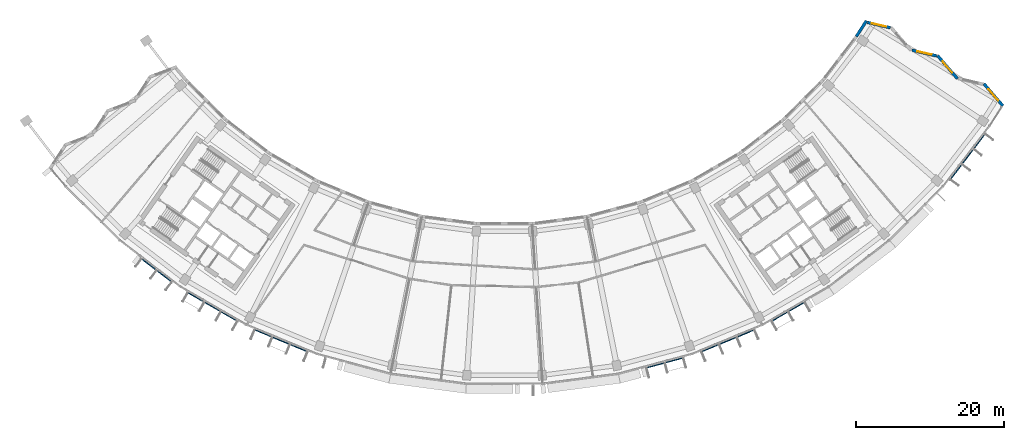
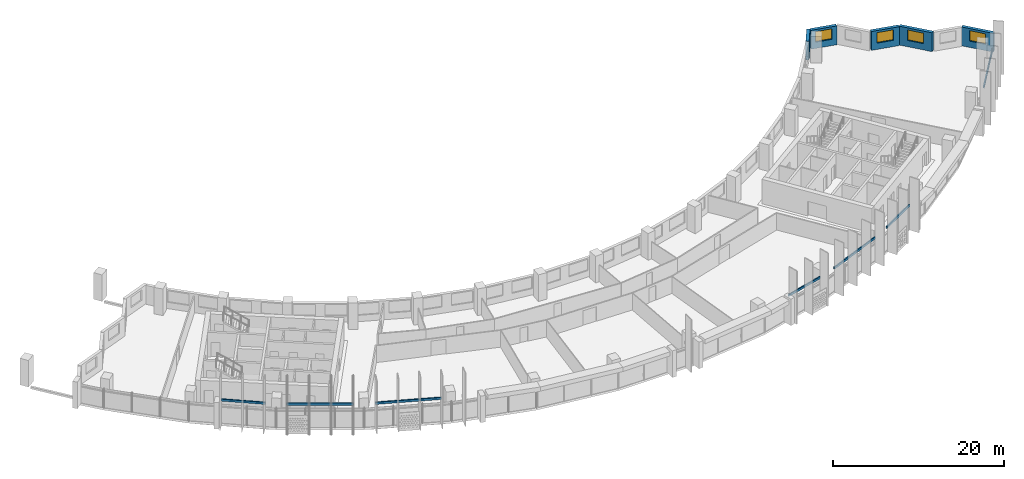
# One storey, part 8 of 27: 7 discrete accessories, 5 walls, 4 windows, 4 openings.
"""IFC4 building model written with IfcOpenShell, lengths in metres."""

from ifc_helpers import new_model, si_unit, direction, frame, frame_2d, origin, origin_2d, place, context, subcontext, project, spatial, rectangle, extrude, material, layer, layer_set, type_object, element, fill, save


model = new_model("IFC4")

# Units and contexts
model_context = context("Model", 3, precision=1e-05, world=origin(), true_north=direction((0.0, 1.0)))
body_context = subcontext(model_context, "Body", "Model", "MODEL_VIEW")
ifc_project = project(units=[si_unit("LENGTHUNIT", "METRE"), si_unit("AREAUNIT", "SQUARE_METRE"), si_unit("VOLUMEUNIT", "CUBIC_METRE"), si_unit("PLANEANGLEUNIT", "RADIAN"), si_unit("MASSUNIT", "GRAM", prefix="KILO")], contexts=[model_context])

# Site, building, storey
site_placement = place(None, origin())
site = spatial("IfcSite", under=ifc_project, at=site_placement, CompositionType="ELEMENT")
building_placement = place(site_placement, origin())
building = spatial("IfcBuilding", under=site, at=building_placement, Name="Qamariyya Broadcast Tower", CompositionType="ELEMENT")
storey_placement = place(building_placement, frame((0.0, 0.0, 187.300048828125)))
storey = spatial("IfcBuildingStorey", under=building, at=storey_placement, Name="L44", CompositionType="ELEMENT", Elevation=187.300048828125)

# Wall, opening, window
ifc_material_1 = material(Name="Terracotta", Category="masonry")
ifc_layer = layer(ifc_material_1, 0.39990234375)
ifc_layer_set = layer_set([ifc_layer], Name="Terracotta clad wall 400")
wall_type = type_object("IfcWallType", Name="Terracotta clad wall 400", PredefinedType="SOLIDWALL", material=ifc_layer_set)
wall_1_placement = place(storey_placement, frame((67.3603515625, -41.156005859375, 0.0), z_axis=(0.0, 0.0, 1.0), x_axis=(-0.651237291526, 0.758874159612, 0.0)))
wall_1 = element("IfcWall", 1, at=wall_1_placement, inside=storey, type_object=wall_type, Name="e-wl-L44-capE0", PredefinedType="SOLIDWALL", context=body_context, shape_type="SweptSolid", body=[
    extrude(rectangle(XDim=3.921630859375, YDim=0.39990234375, at=frame_2d((1.9609375, 0.0))), origin(), (0.0, 0.0, 1.0), 2.699951171875),
])
opening_1_placement = place(wall_1_placement, frame((0.9609375, 0.0, 0.89990234375)))
opening_1 = element("IfcOpeningElement", 2, at=opening_1_placement, cuts=wall_1, Name="Opening W4", PredefinedType="OPENING", context=body_context, shape_type="SweptSolid", body=[
    extrude(rectangle(XDim=2.0, YDim=1.5, at=frame_2d((1.0, 0.75))), frame((0.0, 0.2099609375, 0.0), z_axis=(0.0, -1.0, 0.0), x_axis=(1.0, 0.0, 0.0)), (0.0, 0.0, 1.0), 0.419921875),
])
ifc_material_2 = material(Name="Clear low-e double glazed unit in aluminium frame", Category="aluminium")
window_type = type_object("IfcWindowType", Name="Horn bay window 2000 x 1500", PartitioningType="SINGLE_PANEL", PredefinedType="WINDOW", material=ifc_material_2)
window_1_placement = place(opening_1_placement, origin())
window_1 = element("IfcWindow", 3, at=window_1_placement, inside=storey, type_object=window_type, Name="e-w-L44-capE0", OverallHeight=1.5, OverallWidth=2.0, PartitioningType="SINGLE_PANEL", PredefinedType="WINDOW", context=body_context, shape_type="SweptSolid", body=[
    extrude(rectangle(XDim=2.0, YDim=1.5, at=frame_2d((1.0, 0.75))), frame((0.0, 0.030029296875, 0.0), z_axis=(0.0, -1.0, 0.0), x_axis=(1.0, 0.0, 0.0)), (0.0, 0.0, 1.0), 0.06005859375),
])
fill(opening_1, window_1)

wall_2_placement = place(storey_placement, frame((61.21435546875, -37.48828125, 0.0), z_axis=(0.0, 0.0, 1.0), x_axis=(-0.651339346889, 0.758786567616, 0.0)))
wall_2 = element("IfcWall", 4, at=wall_2_placement, inside=storey, type_object=wall_type, Name="e-wl-L44-capE2", PredefinedType="SOLIDWALL", context=body_context, shape_type="SweptSolid", body=[
    extrude(rectangle(XDim=4.108154296875, YDim=0.39990234375, at=frame_2d((2.05419921875, 0.0))), origin(), (0.0, 0.0, 1.0), 2.699951171875),
])
opening_2_placement = place(wall_2_placement, frame((1.053955078125, 0.0, 0.89990234375)))
opening_2 = element("IfcOpeningElement", 5, at=opening_2_placement, cuts=wall_2, Name="Opening W4", PredefinedType="OPENING", context=body_context, shape_type="SweptSolid", body=[
    extrude(rectangle(XDim=2.0, YDim=1.5, at=frame_2d((1.0, 0.75))), frame((0.0, 0.2099609375, 0.0), z_axis=(0.0, -1.0, 0.0), x_axis=(1.0, 0.0, 0.0)), (0.0, 0.0, 1.0), 0.419921875),
])
window_2_placement = place(opening_2_placement, origin())
window_2 = element("IfcWindow", 6, at=window_2_placement, inside=storey, type_object=window_type, Name="e-w-L44-capE2", OverallHeight=1.5, OverallWidth=2.0, PartitioningType="SINGLE_PANEL", PredefinedType="WINDOW", context=body_context, shape_type="SweptSolid", body=[
    extrude(rectangle(XDim=2.0, YDim=1.5, at=frame_2d((1.0, 0.75))), frame((0.0, 0.030029296875, 0.0), z_axis=(0.0, -1.0, 0.0), x_axis=(1.0, 0.0, 0.0)), (0.0, 0.0, 1.0), 0.06005859375),
])
fill(opening_2, window_2)

wall_3_placement = place(storey_placement, frame((58.40771484375, -34.41357421875, 0.0), z_axis=(0.0, 0.0, 1.0), x_axis=(-0.973903859474, 0.226960949286, 0.0)))
wall_3 = element("IfcWall", 7, at=wall_3_placement, inside=storey, type_object=wall_type, Name="e-wl-L44-capE3", PredefinedType="SOLIDWALL", context=body_context, shape_type="SweptSolid", body=[
    extrude(rectangle(XDim=3.41845703125, YDim=0.39990234375, at=frame_2d((1.709228515625, 0.0))), origin(), (0.0, 0.0, 1.0), 2.699951171875),
])
opening_3_placement = place(wall_3_placement, frame((0.709228515625, 0.0, 0.89990234375)))
opening_3 = element("IfcOpeningElement", 8, at=opening_3_placement, cuts=wall_3, Name="Opening W4", PredefinedType="OPENING", context=body_context, shape_type="SweptSolid", body=[
    extrude(rectangle(XDim=2.0, YDim=1.5, at=frame_2d((1.0, 0.75))), frame((0.0, 0.2099609375, 0.0), z_axis=(0.0, -1.0, 0.0), x_axis=(1.0, 0.0, 0.0)), (0.0, 0.0, 1.0), 0.419921875),
])
window_3_placement = place(opening_3_placement, origin())
window_3 = element("IfcWindow", 9, at=window_3_placement, inside=storey, type_object=window_type, Name="e-w-L44-capE3", OverallHeight=1.5, OverallWidth=2.0, PartitioningType="SINGLE_PANEL", PredefinedType="WINDOW", context=body_context, shape_type="SweptSolid", body=[
    extrude(rectangle(XDim=2.0, YDim=1.5, at=frame_2d((1.0, 0.75))), frame((0.0, 0.030029296875, 0.0), z_axis=(0.0, -1.0, 0.0), x_axis=(1.0, 0.0, 0.0)), (0.0, 0.0, 1.0), 0.06005859375),
])
fill(opening_3, window_3)

wall_4_placement = place(storey_placement, frame((52.1396484375, -30.6044921875, 0.0), z_axis=(0.0, 0.0, 1.0), x_axis=(-0.973943253337, 0.226791841298, 0.0)))
wall_4 = element("IfcWall", 10, at=wall_4_placement, inside=storey, type_object=wall_type, Name="e-wl-L44-capE5", PredefinedType="SOLIDWALL", context=body_context, shape_type="SweptSolid", body=[
    extrude(rectangle(XDim=3.173583984375, YDim=0.39990234375, at=frame_2d((1.5869140625, 0.0))), origin(), (0.0, 0.0, 1.0), 2.699951171875),
])
opening_4_placement = place(wall_4_placement, frame((0.586669921875, 0.0, 0.89990234375)))
opening_4 = element("IfcOpeningElement", 11, at=opening_4_placement, cuts=wall_4, Name="Opening W4", PredefinedType="OPENING", context=body_context, shape_type="SweptSolid", body=[
    extrude(rectangle(XDim=2.0, YDim=1.5, at=frame_2d((1.0, 0.75))), frame((0.0, 0.2099609375, 0.0), z_axis=(0.0, -1.0, 0.0), x_axis=(1.0, 0.0, 0.0)), (0.0, 0.0, 1.0), 0.419921875),
])
window_4_placement = place(opening_4_placement, origin())
window_4 = element("IfcWindow", 12, at=window_4_placement, inside=storey, type_object=window_type, Name="e-w-L44-capE5", OverallHeight=1.5, OverallWidth=2.0, PartitioningType="SINGLE_PANEL", PredefinedType="WINDOW", context=body_context, shape_type="SweptSolid", body=[
    extrude(rectangle(XDim=2.0, YDim=1.5, at=frame_2d((1.0, 0.75))), frame((0.0, 0.030029296875, 0.0), z_axis=(0.0, -1.0, 0.0), x_axis=(1.0, 0.0, 0.0)), (0.0, 0.0, 1.0), 0.06005859375),
])
fill(opening_4, window_4)

# Wall
wall_5_placement = place(storey_placement, frame((48.906005859375, -29.66748046875, 0.0), z_axis=(0.0, 0.0, 1.0), x_axis=(-0.537614098744, -0.843191010882, 0.0)))
element("IfcWall", 13, at=wall_5_placement, inside=storey, type_object=wall_type, Name="e-wl-L44-in150", PredefinedType="SOLIDWALL", context=body_context, shape_type="SweptSolid", body=[
    extrude(rectangle(XDim=2.523193359375, YDim=0.39990234375, at=frame_2d((1.26171875, 0.0))), origin(), (0.0, 0.0, 1.0), 2.699951171875),
])

# Discrete accessories
ifc_material_3 = material(Name="Stainless steel 316", Category="steel")
discrete_accessory_type = type_object("IfcDiscreteAccessoryType", Name="Slab edge fixing angle, stainless steel", PredefinedType="BRACKET", material=ifc_material_3)
discrete_accessory_1_placement = place(storey_placement, frame((-47.010009765625, -63.386474609375, 3.2998046875), z_axis=(0.0, 0.0, 1.0), x_axis=(0.793353340291, -0.608761429009, 0.0)))
element("IfcDiscreteAccessory", 14, at=discrete_accessory_1_placement, inside=storey, type_object=discrete_accessory_type, Name="e-br-L44-02-0", PredefinedType="BRACKET", context=body_context, shape_type="SweptSolid", body=[
    extrude(rectangle(XDim=5.266845703125, YDim=0.14990234375, at=origin_2d()), origin(), (0.0, 0.0, 1.0), 0.300048828125),
])
for number, where, z_axis, x_axis, name in (
    (15, (-39.452880859375, -68.33447265625, 3.2998046875), (0.0, 0.0, 1.0), (0.866025403784, -0.5, 0.0), "e-br-L44-03-0"),
    (16, (-30.196044921875, -72.8994140625, 3.2998046875), (0.0, 0.0, 1.0), (0.923879532511, -0.382683432365, 0.0), "e-br-L44-04-0"),
):
    element("IfcDiscreteAccessory", number, at=place(storey_placement, frame(where, z_axis=z_axis, x_axis=x_axis)), inside=storey, type_object=discrete_accessory_type, Name=name, PredefinedType="BRACKET", context=body_context, shape_type="SweptSolid", body=[
        extrude(rectangle(XDim=7.850341796875, YDim=0.14990234375, at=origin_2d()), origin(), (0.0, 0.0, 1.0), 0.300048828125),
    ])
discrete_accessory_2_placement = place(storey_placement, frame((21.669921875, -75.8828125, 3.2998046875), z_axis=(0.0, 0.0, 1.0), x_axis=(0.965925826289, 0.258819045103, 0.0)))
element("IfcDiscreteAccessory", 17, at=discrete_accessory_2_placement, inside=storey, type_object=discrete_accessory_type, Name="e-br-L44-09-0", PredefinedType="BRACKET", context=body_context, shape_type="SweptSolid", body=[
    extrude(rectangle(XDim=5.266845703125, YDim=0.14990234375, at=origin_2d()), origin(), (0.0, 0.0, 1.0), 0.300048828125),
])
discrete_accessory_3_placement = place(storey_placement, frame((30.196044921875, -72.8994140625, 3.2998046875), z_axis=(0.0, 0.0, 1.0), x_axis=(0.923879532511, 0.382683432365, 0.0)))
element("IfcDiscreteAccessory", 18, at=discrete_accessory_3_placement, inside=storey, type_object=discrete_accessory_type, Name="e-br-L44-10-0", PredefinedType="BRACKET", context=body_context, shape_type="SweptSolid", body=[
    extrude(rectangle(XDim=7.850341796875, YDim=0.14990234375, at=origin_2d()), origin(), (0.0, 0.0, 1.0), 0.300048828125),
])
discrete_accessory_4_placement = place(storey_placement, frame((38.334228515625, -68.980224609375, 3.2998046875), z_axis=(0.0, 0.0, 1.0), x_axis=(0.866025403784, 0.5, 0.0)))
element("IfcDiscreteAccessory", 19, at=discrete_accessory_4_placement, inside=storey, type_object=discrete_accessory_type, Name="e-br-L44-11-0", PredefinedType="BRACKET", context=body_context, shape_type="SweptSolid", body=[
    extrude(rectangle(XDim=5.266845703125, YDim=0.14990234375, at=origin_2d()), origin(), (0.0, 0.0, 1.0), 0.300048828125),
])
discrete_accessory_5_placement = place(storey_placement, frame((62.600341796875, -48.034912109375, 3.2998046875), z_axis=(0.0, 0.0, 1.0), x_axis=(0.608761429009, 0.793353340291, 0.0)))
element("IfcDiscreteAccessory", 20, at=discrete_accessory_5_placement, inside=storey, type_object=discrete_accessory_type, Name="e-br-L44-14-0", PredefinedType="BRACKET", context=body_context, shape_type="SweptSolid", body=[
    extrude(rectangle(XDim=7.850341796875, YDim=0.14990234375, at=origin_2d()), origin(), (0.0, 0.0, 1.0), 0.300048828125),
])

save(model, "model.ifc")
